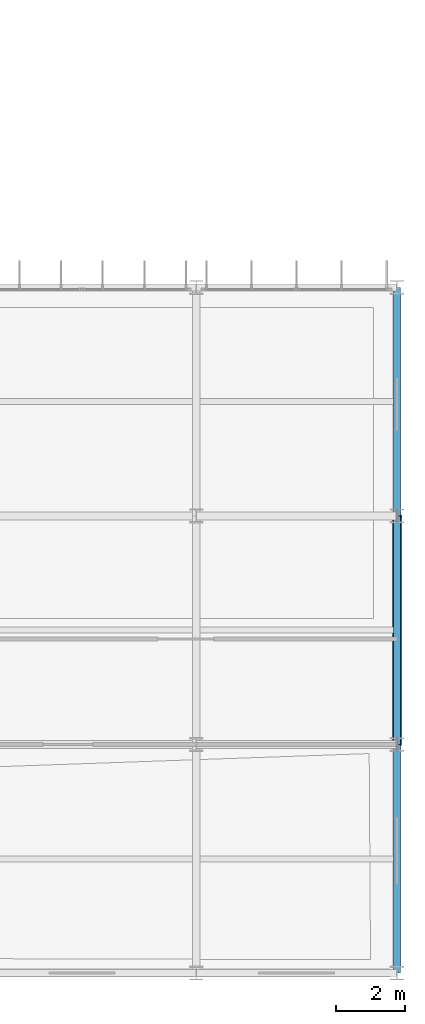
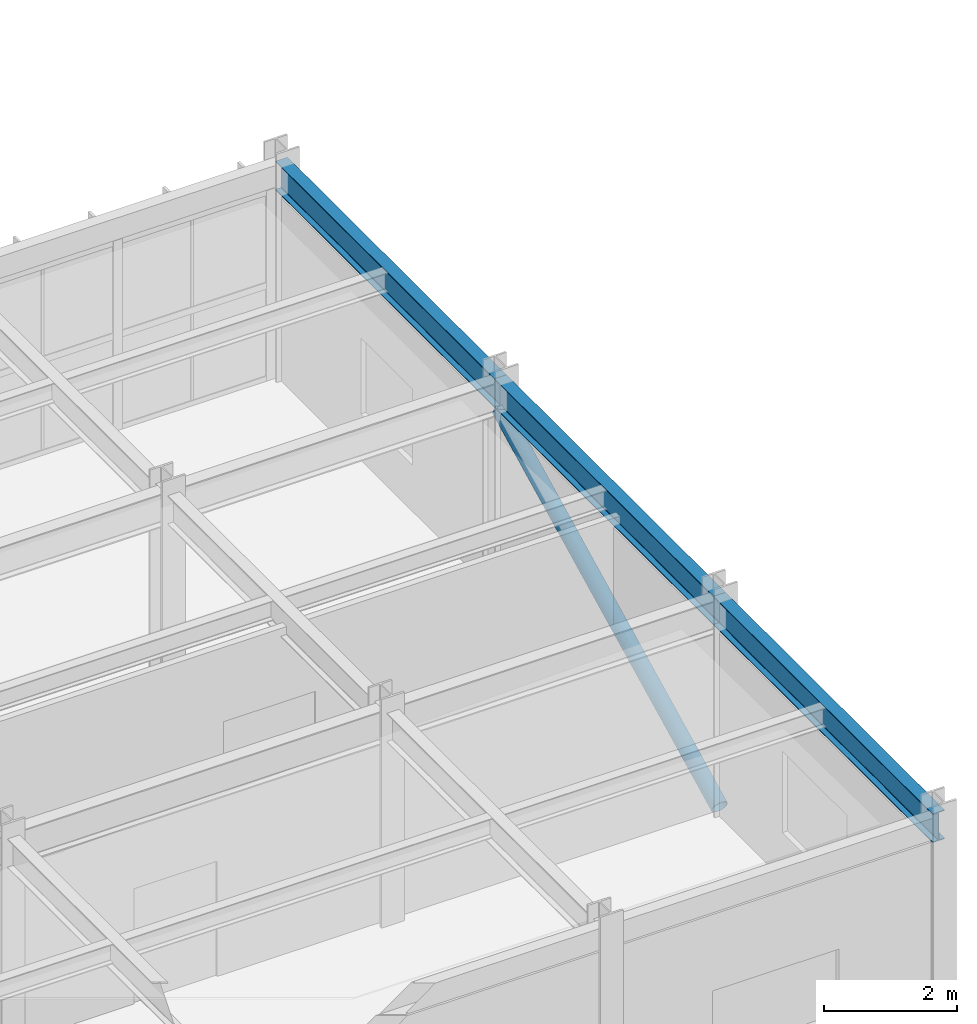
# One storey, part 95 of 148: 3 beams, 1 member.
"""IFC4 building model written with IfcOpenShell, lengths in metres."""

from ifc_helpers import new_model, si_unit, direction, frame, origin, origin_2d, place, context, subcontext, project, spatial, hollow_circle, i_section, extrude, material, material_profile, profile_set, type_object, element, save


model = new_model("IFC4")

# Units and contexts
model_context = context("Model", 3, precision=1e-05, world=origin(), true_north=direction((0.0, 1.0)))
body_context = subcontext(model_context, "Body", "Model", "MODEL_VIEW")
ifc_project = project(units=[si_unit("LENGTHUNIT", "METRE"), si_unit("AREAUNIT", "SQUARE_METRE"), si_unit("VOLUMEUNIT", "CUBIC_METRE"), si_unit("PLANEANGLEUNIT", "RADIAN"), si_unit("MASSUNIT", "GRAM", prefix="KILO")], contexts=[model_context])

# Site, building, storey
site_placement = place(None, origin())
site = spatial("IfcSite", under=ifc_project, at=site_placement, CompositionType="ELEMENT")
building_placement = place(site_placement, origin())
building = spatial("IfcBuilding", under=site, at=building_placement, Name="Karori Crest Natural Sciences Institute", CompositionType="ELEMENT")
storey_placement = place(building_placement, frame((0.0, 0.0, 4.89990234375)))
storey = spatial("IfcBuildingStorey", under=building, at=storey_placement, Name="L01", CompositionType="ELEMENT", Elevation=4.89990234375)

# Beams
ifc_material_1 = material(Name="Structural steel AS/NZS 3679.1 Grade 350", Category="steel")
ifc_material_profile_1 = material_profile(ifc_material_1, i_section(OverallWidth=0.208984375, OverallDepth=0.532958984375, WebThickness=0.01025390625, FlangeThickness=0.015625, FilletRadius=0.013916015625, at=origin_2d()), Name="530UB92.4")
ifc_profile_set_1 = profile_set([ifc_material_profile_1], Name="Structural steel AS/NZS 3679.1 Grade 350")
beam_type = type_object("IfcBeamType", Name="BT-05-EL", PredefinedType="BEAM", material=ifc_profile_set_1)
beam_placement = place(storey_placement, frame((162.199951171875, 0.800048828125, 3.653564453125), z_axis=(0.0, 1.0, 0.0), x_axis=(-1.0, 0.0, 0.0)))
element("IfcBeam", 1, at=beam_placement, inside=storey, type_object=beam_type, Name="Beam B-2169", PredefinedType="BEAM", context=body_context, shape_type="SweptSolid", body=[
    extrude(i_section(OverallWidth=0.208984375, OverallDepth=0.532958984375, WebThickness=0.01025390625, FlangeThickness=0.015625, FilletRadius=0.013916015625, at=origin_2d()), origin(), (0.0, 0.0, 1.0), 6.599853515625),
])
for number, where, z_axis, x_axis, name in (
    (2, (162.199951171875, 7.39990234375, 3.653564453125), (0.0, 1.0, 0.0), (-1.0, 0.0, 0.0), "Beam B-2170"),
    (3, (162.199951171875, 14.0, 3.653564453125), (0.0, 1.0, 0.0), (-1.0, 0.0, 0.0), "Beam B-2171"),
):
    element("IfcBeam", number, at=place(storey_placement, frame(where, z_axis=z_axis, x_axis=x_axis)), inside=storey, type_object=beam_type, Name=name, PredefinedType="BEAM", context=body_context, shape_type="SweptSolid", body=[
        extrude(i_section(OverallWidth=0.208984375, OverallDepth=0.532958984375, WebThickness=0.01025390625, FlangeThickness=0.015625, FilletRadius=0.013916015625, at=origin_2d()), origin(), (0.0, 0.0, 1.0), 6.60009765625),
    ])

# Member
ifc_material_2 = material(Name="Hollow structural steel AS/NZS 1163 Grade C350", Category="steel")
ifc_material_profile_2 = material_profile(ifc_material_2, hollow_circle(Radius=0.136474609375, WallThickness=0.00927734375, at=origin_2d()), Name="CHS273.0x9.3")
ifc_profile_set_2 = profile_set([ifc_material_profile_2], Name="Hollow structural steel AS/NZS 1163 Grade C350")
member_type = type_object("IfcMemberType", Name="MT-01-EL", PredefinedType="BRACE", material=ifc_profile_set_2)
member_placement = place(storey_placement, frame((162.199951171875, 7.39990234375, 0.010009765625), z_axis=(0.0, 0.893990252714, 0.448086406905), x_axis=(-1.0, 0.0, 0.0)))
element("IfcMember", 4, at=member_placement, inside=storey, type_object=member_type, Name="Diagonal Brace M-0442", PredefinedType="BRACE", context=body_context, shape_type="SweptSolid", body=[
    extrude(hollow_circle(Radius=0.136474609375, WallThickness=0.00927734375, at=origin_2d()), origin(), (0.0, 0.0, 1.0), 7.3828125),
])

save(model, "model.ifc")
